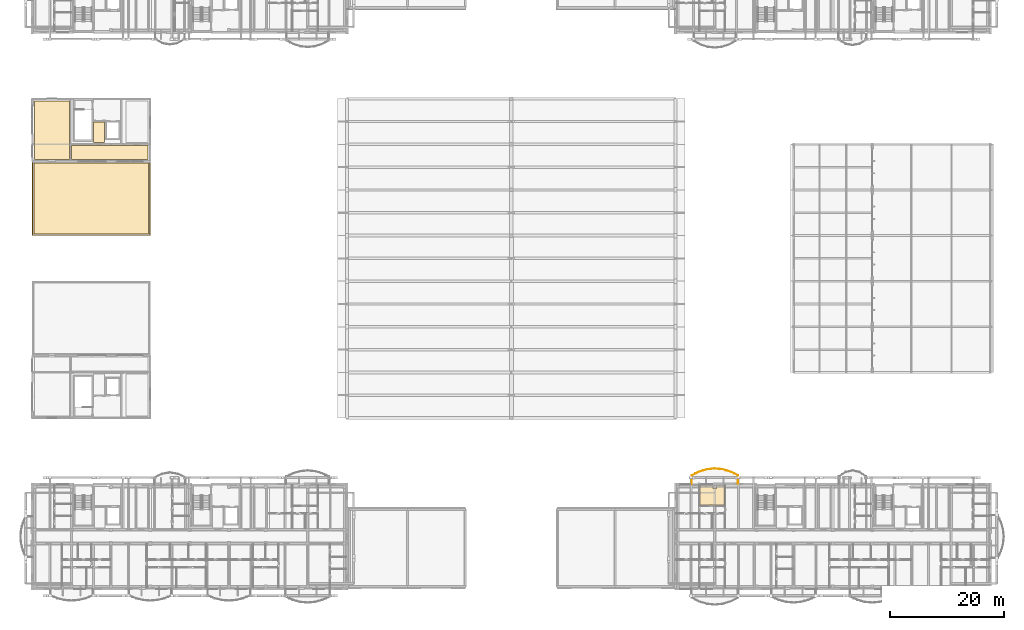
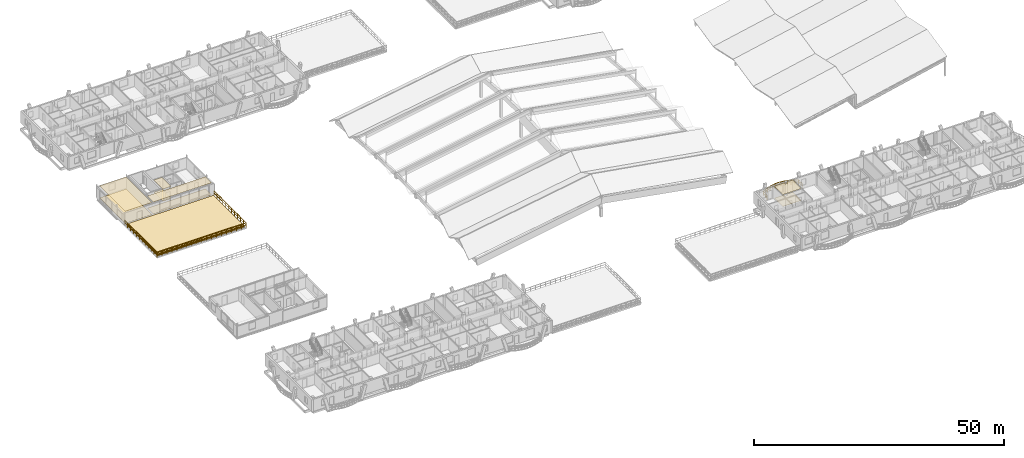
# One storey, part 93 of 109: 9 coverings, 2 railings.
"""IFC4 building model written with IfcOpenShell, lengths in metres."""

from ifc_helpers import new_model, si_unit, direction, frame, origin, origin_2d, place, context, subcontext, project, spatial, polyline, rectangle, outline, extrude, material, layer, layer_set, type_object, element, save


model = new_model("IFC4")

# Units and contexts
model_context = context("Model", 3, precision=1e-05, world=origin(), true_north=direction((0.0, 1.0)))
body_context = subcontext(model_context, "Body", "Model", "MODEL_VIEW")
ifc_project = project(units=[si_unit("LENGTHUNIT", "METRE"), si_unit("AREAUNIT", "SQUARE_METRE"), si_unit("VOLUMEUNIT", "CUBIC_METRE"), si_unit("PLANEANGLEUNIT", "RADIAN"), si_unit("MASSUNIT", "GRAM", prefix="KILO")], contexts=[model_context])

# Site, building, storey
site_placement = place(None, origin())
site = spatial("IfcSite", under=ifc_project, at=site_placement, CompositionType="ELEMENT")
building_placement = place(site_placement, origin())
building = spatial("IfcBuilding", under=site, at=building_placement, Name="Zavelmont Quarter", CompositionType="ELEMENT")
storey_placement = place(building_placement, frame((0.0, 0.0, 8.0)))
storey = spatial("IfcBuildingStorey", under=building, at=storey_placement, Name="L02", CompositionType="ELEMENT", Elevation=8.0)

# Coverings
ifc_material_1 = material(Name="Perforated acoustic gypsum board")
ifc_layer_1 = layer(ifc_material_1, 0.02490234375)
ifc_layer_set_1 = layer_set([ifc_layer_1], Name="Perforated acoustic gypsum board")
covering_type_1 = type_object("IfcCoveringType", Name="CV-CL01", PredefinedType="CEILING", material=ifc_layer_set_1)
covering_1_placement = place(storey_placement, frame((0.0, 0.0, 2.965087890625)))
element("IfcCovering", 1, at=covering_1_placement, inside=storey, type_object=covering_type_1, Name="L02 Lobby Vestibule acoustic ceiling", PredefinedType="CEILING", context=body_context, shape_type="SweptSolid", body=[
    extrude(outline(polyline([(10.780029296875, 81.919921875), (12.669921875, 81.919921875), (12.669921875, 78.280029296875), (10.780029296875, 78.280029296875), (10.780029296875, 81.919921875)])), origin(), (0.0, 0.0, 1.0), 0.02490234375),
])
covering_2_placement = place(storey_placement, frame((0.0, 0.0, 2.965087890625)))
element("IfcCovering", 2, at=covering_2_placement, inside=storey, type_object=covering_type_1, Name="L02 North Roof Garden Corridor acoustic ceiling", PredefinedType="CEILING", context=body_context, shape_type="SweptSolid", body=[
    extrude(outline(polyline([(6.8798828125, 77.77001953125), (20.320068359375, 77.77001953125), (20.320068359375, 75.330078125), (6.8798828125, 75.330078125), (6.8798828125, 77.77001953125)])), origin(), (0.0, 0.0, 1.0), 0.02490234375),
])
covering_3_placement = place(storey_placement, frame((0.0, 0.0, 2.965087890625)))
element("IfcCovering", 3, at=covering_3_placement, inside=storey, type_object=covering_type_1, Name="L02 Residents Greenhouse Lounge acoustic ceiling", PredefinedType="CEILING", context=body_context, shape_type="SweptSolid", body=[
    extrude(outline(polyline([(0.3798828125, 85.6201171875), (6.52001953125, 85.6201171875), (6.52001953125, 75.330078125), (0.3798828125, 75.330078125), (0.3798828125, 85.6201171875)])), origin(), (0.0, 0.0, 1.0), 0.02490234375),
])
covering_4_placement = place(storey_placement, frame((0.0, 0.0, 2.9150390625)))
element("IfcCovering", 4, at=covering_4_placement, inside=storey, type_object=covering_type_1, Name="L02 Master Bedroom acoustic ceiling", PredefinedType="CEILING", context=body_context, shape_type="SweptSolid", body=[
    extrude(outline(polyline([(117.1298828125, 18.1201171875), (119.409912109375, 18.1201171875), (119.409912109375, 17.669921875), (119.989990234375, 17.669921875), (119.989990234375, 18.1201171875), (121.3701171875, 18.1201171875), (121.3701171875, 14.72998046875), (117.1298828125, 14.72998046875), (117.1298828125, 18.1201171875)])), origin(), (0.0, 0.0, 1.0), 0.02490234375),
])
ifc_material_2 = material(Name="Engineered European oak parquet")
ifc_layer_2 = layer(ifc_material_2, 0.02197265625)
ifc_layer_set_2 = layer_set([ifc_layer_2], Name="Engineered European oak parquet")
covering_type_2 = type_object("IfcCoveringType", Name="CV-FL01", PredefinedType="FLOORING", material=ifc_layer_set_2)
covering_5_placement = place(storey_placement, origin())
element("IfcCovering", 5, at=covering_5_placement, inside=storey, type_object=covering_type_2, Name="L02 Lobby Vestibule floor finish", PredefinedType="FLOORING", context=body_context, shape_type="SweptSolid", body=[
    extrude(outline(polyline([(10.780029296875, 81.919921875), (12.669921875, 81.919921875), (12.669921875, 78.280029296875), (10.780029296875, 78.280029296875), (10.780029296875, 81.919921875)])), origin(), (0.0, 0.0, 1.0), 0.02197265625),
])
covering_6_placement = place(storey_placement, origin())
element("IfcCovering", 6, at=covering_6_placement, inside=storey, type_object=covering_type_2, Name="L02 North Roof Garden Corridor floor finish", PredefinedType="FLOORING", context=body_context, shape_type="SweptSolid", body=[
    extrude(outline(polyline([(6.8798828125, 77.77001953125), (20.320068359375, 77.77001953125), (20.320068359375, 75.330078125), (6.8798828125, 75.330078125), (6.8798828125, 77.77001953125)])), origin(), (0.0, 0.0, 1.0), 0.02197265625),
])
covering_7_placement = place(storey_placement, origin())
element("IfcCovering", 7, at=covering_7_placement, inside=storey, type_object=covering_type_2, Name="L02 Residents Greenhouse Lounge floor finish", PredefinedType="FLOORING", context=body_context, shape_type="SweptSolid", body=[
    extrude(outline(polyline([(0.3798828125, 85.6201171875), (6.52001953125, 85.6201171875), (6.52001953125, 75.330078125), (0.3798828125, 75.330078125), (0.3798828125, 85.6201171875)])), origin(), (0.0, 0.0, 1.0), 0.02197265625),
])
covering_8_placement = place(storey_placement, origin())
element("IfcCovering", 8, at=covering_8_placement, inside=storey, type_object=covering_type_2, Name="L02 Master Bedroom floor finish", PredefinedType="FLOORING", context=body_context, shape_type="SweptSolid", body=[
    extrude(outline(polyline([(117.1298828125, 18.1201171875), (119.409912109375, 18.1201171875), (119.409912109375, 17.669921875), (119.989990234375, 17.669921875), (119.989990234375, 18.1201171875), (121.3701171875, 18.1201171875), (121.3701171875, 14.72998046875), (117.1298828125, 14.72998046875), (117.1298828125, 18.1201171875)])), origin(), (0.0, 0.0, 1.0), 0.02197265625),
])
ifc_material_3 = material(Name="EPDM waterproofing membrane and mineral insulation")
ifc_layer_3 = layer(ifc_material_3, 0.280029296875)
ifc_layer_set_3 = layer_set([ifc_layer_3], Name="EPDM waterproofing membrane and mineral insulation")
covering_type_3 = type_object("IfcCoveringType", Name="CV-RF02", PredefinedType="ROOFING", material=ifc_layer_set_3)
covering_9_placement = place(storey_placement, origin())
element("IfcCovering", 9, at=covering_9_placement, inside=storey, type_object=covering_type_3, Name="L02 roof build-up CV-RF02", PredefinedType="ROOFING", context=body_context, shape_type="SweptSolid", body=[
    extrude(outline(polyline([(0.300048828125, 62.300048828125), (20.39990234375, 62.300048828125), (20.39990234375, 74.699951171875), (0.300048828125, 74.699951171875), (0.300048828125, 62.300048828125)])), origin(), (0.0, 0.0, 1.0), 0.280029296875),
])

# Railings
ifc_material_4 = material(Name="Powder-coated steel and tempered double safety glass", Category="steel")
railing_type_1 = type_object("IfcRailingType", Name="RL-BAL1", PredefinedType="BALUSTRADE", material=ifc_material_4)
railing_1_placement = place(storey_placement, frame((123.761962890625, 18.419921875, 0.0)))
element("IfcRailing", 10, at=railing_1_placement, inside=storey, type_object=railing_type_1, Name="L02 Block D curved balcony guard RL-BAL1", PredefinedType="BALUSTRADE", context=body_context, shape_type="SweptSolid", body=[
    extrude(rectangle(XDim=0.048095703125, YDim=0.048095703125, at=origin_2d()), frame((0.0, 0.0, 1.076171875), z_axis=(0.0, 1.0, 0.0), x_axis=(-1.0, 0.0, 0.0)), (0.0, 0.0, 1.0), 1.51220703125),
    extrude(rectangle(XDim=0.048095703125, YDim=0.048095703125, at=origin_2d()), frame((0.0, 0.0, 0.550048828125), z_axis=(0.0, 1.0, 0.0), x_axis=(-1.0, 0.0, 0.0)), (0.0, 0.0, 1.0), 1.51220703125),
    extrude(rectangle(XDim=0.048095703125, YDim=0.048095703125, at=origin_2d()), frame((0.0, 1.51220703125, 1.076171875), z_axis=(-0.896550884345, 0.442940754256, 0.0), x_axis=(-0.442940754256, -0.896550884345, 0.0)), (0.0, 0.0, 1.0), 1.51025390625),
    extrude(rectangle(XDim=0.048095703125, YDim=0.048095703125, at=origin_2d()), frame((0.0, 1.51220703125, 0.550048828125), z_axis=(-0.896550884345, 0.442940754256, 0.0), x_axis=(-0.442940754256, -0.896550884345, 0.0)), (0.0, 0.0, 1.0), 1.51025390625),
    extrude(rectangle(XDim=0.048095703125, YDim=0.048095703125, at=origin_2d()), frame((-1.35400390625, 2.18115234375, 1.076171875), z_axis=(-0.958810320474, 0.284047125232, 0.0), x_axis=(-0.284047125232, -0.958810320474, 0.0)), (0.0, 0.0, 1.0), 1.412109375),
    extrude(rectangle(XDim=0.048095703125, YDim=0.048095703125, at=origin_2d()), frame((-1.35400390625, 2.18115234375, 0.550048828125), z_axis=(-0.958810320474, 0.284047125232, 0.0), x_axis=(-0.284047125232, -0.958810320474, 0.0)), (0.0, 0.0, 1.0), 1.412109375),
    extrude(rectangle(XDim=0.048095703125, YDim=0.048095703125, at=origin_2d()), frame((-2.7080078125, 2.582275390625, 1.076171875), z_axis=(-0.995153754748, 0.098331095853, 0.0), x_axis=(-0.098331095853, -0.995153754748, 0.0)), (0.0, 0.0, 1.0), 1.360595703125),
    extrude(rectangle(XDim=0.048095703125, YDim=0.048095703125, at=origin_2d()), frame((-2.7080078125, 2.582275390625, 0.550048828125), z_axis=(-0.995153754748, 0.098331095853, 0.0), x_axis=(-0.098331095853, -0.995153754748, 0.0)), (0.0, 0.0, 1.0), 1.360595703125),
    extrude(rectangle(XDim=0.048095703125, YDim=0.048095703125, at=origin_2d()), frame((-4.06201171875, 2.716064453125, 1.076171875), z_axis=(-0.995153754748, -0.098331095853, 0.0), x_axis=(0.098331095853, -0.995153754748, 0.0)), (0.0, 0.0, 1.0), 1.360595703125),
    extrude(rectangle(XDim=0.048095703125, YDim=0.048095703125, at=origin_2d()), frame((-4.06201171875, 2.716064453125, 0.550048828125), z_axis=(-0.995153754748, -0.098331095853, 0.0), x_axis=(0.098331095853, -0.995153754748, 0.0)), (0.0, 0.0, 1.0), 1.360595703125),
    extrude(rectangle(XDim=0.048095703125, YDim=0.048095703125, at=origin_2d()), frame((-5.416015625, 2.582275390625, 1.076171875), z_axis=(-0.958810320474, -0.284047125232, 0.0), x_axis=(0.284047125232, -0.958810320474, 0.0)), (0.0, 0.0, 1.0), 1.412109375),
    extrude(rectangle(XDim=0.048095703125, YDim=0.048095703125, at=origin_2d()), frame((-5.416015625, 2.582275390625, 0.550048828125), z_axis=(-0.958810320474, -0.284047125232, 0.0), x_axis=(0.284047125232, -0.958810320474, 0.0)), (0.0, 0.0, 1.0), 1.412109375),
    extrude(rectangle(XDim=0.048095703125, YDim=0.048095703125, at=origin_2d()), frame((-6.77001953125, 2.18115234375, 1.076171875), z_axis=(-0.896550884345, -0.442940754256, 0.0), x_axis=(0.442940754256, -0.896550884345, 0.0)), (0.0, 0.0, 1.0), 1.51025390625),
    extrude(rectangle(XDim=0.048095703125, YDim=0.048095703125, at=origin_2d()), frame((-6.77001953125, 2.18115234375, 0.550048828125), z_axis=(-0.896550884345, -0.442940754256, 0.0), x_axis=(0.442940754256, -0.896550884345, 0.0)), (0.0, 0.0, 1.0), 1.51025390625),
    extrude(rectangle(XDim=0.048095703125, YDim=0.048095703125, at=origin_2d()), frame((-8.1240234375, 1.51220703125, 1.076171875), z_axis=(0.0, -1.0, 0.0), x_axis=(1.0, 0.0, 0.0)), (0.0, 0.0, 1.0), 1.51220703125),
    extrude(rectangle(XDim=0.048095703125, YDim=0.048095703125, at=origin_2d()), frame((-8.1240234375, 1.51220703125, 0.550048828125), z_axis=(0.0, -1.0, 0.0), x_axis=(1.0, 0.0, 0.0)), (0.0, 0.0, 1.0), 1.51220703125),
    extrude(rectangle(XDim=0.0419921875, YDim=0.0419921875, at=origin_2d()), origin(), (0.0, 0.0, 1.0), 1.052001953125),
    extrude(rectangle(XDim=0.0419921875, YDim=0.0419921875, at=origin_2d()), frame((0.0, 0.756103515625, 0.0)), (0.0, 0.0, 1.0), 1.052001953125),
    extrude(rectangle(XDim=0.0419921875, YDim=0.0419921875, at=origin_2d()), frame((0.0, 1.51220703125, 0.0)), (0.0, 0.0, 1.0), 1.052001953125),
    extrude(rectangle(XDim=0.0419921875, YDim=0.0419921875, at=origin_2d()), frame((-0.677001953125, 1.8466796875, 0.0)), (0.0, 0.0, 1.0), 1.052001953125),
    extrude(rectangle(XDim=0.0419921875, YDim=0.0419921875, at=origin_2d()), frame((-1.35400390625, 2.18115234375, 0.0)), (0.0, 0.0, 1.0), 1.052001953125),
    extrude(rectangle(XDim=0.0419921875, YDim=0.0419921875, at=origin_2d()), frame((-2.031005859375, 2.3818359375, 0.0)), (0.0, 0.0, 1.0), 1.052001953125),
    extrude(rectangle(XDim=0.0419921875, YDim=0.0419921875, at=origin_2d()), frame((-2.7080078125, 2.582275390625, 0.0)), (0.0, 0.0, 1.0), 1.052001953125),
    extrude(rectangle(XDim=0.0419921875, YDim=0.0419921875, at=origin_2d()), frame((-3.385009765625, 2.649169921875, 0.0)), (0.0, 0.0, 1.0), 1.052001953125),
    extrude(rectangle(XDim=0.0419921875, YDim=0.0419921875, at=origin_2d()), frame((-4.06201171875, 2.716064453125, 0.0)), (0.0, 0.0, 1.0), 1.052001953125),
    extrude(rectangle(XDim=0.0419921875, YDim=0.0419921875, at=origin_2d()), frame((-4.739013671875, 2.649169921875, 0.0)), (0.0, 0.0, 1.0), 1.052001953125),
    extrude(rectangle(XDim=0.0419921875, YDim=0.0419921875, at=origin_2d()), frame((-5.416015625, 2.582275390625, 0.0)), (0.0, 0.0, 1.0), 1.052001953125),
    extrude(rectangle(XDim=0.0419921875, YDim=0.0419921875, at=origin_2d()), frame((-6.093017578125, 2.3818359375, 0.0)), (0.0, 0.0, 1.0), 1.052001953125),
    extrude(rectangle(XDim=0.0419921875, YDim=0.0419921875, at=origin_2d()), frame((-6.77001953125, 2.18115234375, 0.0)), (0.0, 0.0, 1.0), 1.052001953125),
    extrude(rectangle(XDim=0.0419921875, YDim=0.0419921875, at=origin_2d()), frame((-7.447021484375, 1.8466796875, 0.0)), (0.0, 0.0, 1.0), 1.052001953125),
    extrude(rectangle(XDim=0.0419921875, YDim=0.0419921875, at=origin_2d()), frame((-8.1240234375, 1.51220703125, 0.0)), (0.0, 0.0, 1.0), 1.052001953125),
    extrude(rectangle(XDim=0.0419921875, YDim=0.0419921875, at=origin_2d()), frame((-8.1240234375, 0.756103515625, 0.0)), (0.0, 0.0, 1.0), 1.052001953125),
    extrude(rectangle(XDim=0.0419921875, YDim=0.0419921875, at=origin_2d()), frame((-8.1240234375, 0.0, 0.0)), (0.0, 0.0, 1.0), 1.052001953125),
])
railing_type_2 = type_object("IfcRailingType", Name="RL-GDN1", PredefinedType="BALUSTRADE", material=ifc_material_4)
railing_2_placement = place(storey_placement, frame((0.050048828125, 75.0, 0.0)))
element("IfcRailing", 11, at=railing_2_placement, inside=storey, type_object=railing_type_2, Name="L02 North Planted Roof Garden guard RL-GDN1", PredefinedType="BALUSTRADE", context=body_context, shape_type="SweptSolid", body=[
    extrude(rectangle(XDim=0.048095703125, YDim=0.048095703125, at=origin_2d()), frame((0.0, 0.0, 1.1259765625), z_axis=(0.0, -1.0, 0.0), x_axis=(1.0, 0.0, 0.0)), (0.0, 0.0, 1.0), 12.949951171875),
    extrude(rectangle(XDim=0.048095703125, YDim=0.048095703125, at=origin_2d()), frame((0.0, 0.0, 0.574951171875), z_axis=(0.0, -1.0, 0.0), x_axis=(1.0, 0.0, 0.0)), (0.0, 0.0, 1.0), 12.949951171875),
    extrude(rectangle(XDim=0.048095703125, YDim=0.048095703125, at=origin_2d()), frame((0.0, -12.949951171875, 1.1259765625), z_axis=(1.0, 0.0, 0.0), x_axis=(0.0, 1.0, 0.0)), (0.0, 0.0, 1.0), 20.599853515625),
    extrude(rectangle(XDim=0.048095703125, YDim=0.048095703125, at=origin_2d()), frame((0.0, -12.949951171875, 0.574951171875), z_axis=(1.0, 0.0, 0.0), x_axis=(0.0, 1.0, 0.0)), (0.0, 0.0, 1.0), 20.599853515625),
    extrude(rectangle(XDim=0.048095703125, YDim=0.048095703125, at=origin_2d()), frame((20.599853515625, -12.949951171875, 1.1259765625), z_axis=(0.0, 1.0, 0.0), x_axis=(-1.0, 0.0, 0.0)), (0.0, 0.0, 1.0), 12.949951171875),
    extrude(rectangle(XDim=0.048095703125, YDim=0.048095703125, at=origin_2d()), frame((20.599853515625, -12.949951171875, 0.574951171875), z_axis=(0.0, 1.0, 0.0), x_axis=(-1.0, 0.0, 0.0)), (0.0, 0.0, 1.0), 12.949951171875),
    extrude(rectangle(XDim=0.0419921875, YDim=0.0419921875, at=origin_2d()), origin(), (0.0, 0.0, 1.0), 1.101806640625),
    extrude(rectangle(XDim=0.0419921875, YDim=0.0419921875, at=origin_2d()), frame((0.0, -1.17724609375, 0.0)), (0.0, 0.0, 1.0), 1.101806640625),
    extrude(rectangle(XDim=0.0419921875, YDim=0.0419921875, at=origin_2d()), frame((0.0, -2.3544921875, 0.0)), (0.0, 0.0, 1.0), 1.101806640625),
    extrude(rectangle(XDim=0.0419921875, YDim=0.0419921875, at=origin_2d()), frame((0.0, -3.53173828125, 0.0)), (0.0, 0.0, 1.0), 1.101806640625),
    extrude(rectangle(XDim=0.0419921875, YDim=0.0419921875, at=origin_2d()), frame((0.0, -4.708984375, 0.0)), (0.0, 0.0, 1.0), 1.101806640625),
    extrude(rectangle(XDim=0.0419921875, YDim=0.0419921875, at=origin_2d()), frame((0.0, -5.88623046875, 0.0)), (0.0, 0.0, 1.0), 1.101806640625),
    extrude(rectangle(XDim=0.0419921875, YDim=0.0419921875, at=origin_2d()), frame((0.0, -7.063720703125, 0.0)), (0.0, 0.0, 1.0), 1.101806640625),
    extrude(rectangle(XDim=0.0419921875, YDim=0.0419921875, at=origin_2d()), frame((0.0, -8.240966796875, 0.0)), (0.0, 0.0, 1.0), 1.101806640625),
    extrude(rectangle(XDim=0.0419921875, YDim=0.0419921875, at=origin_2d()), frame((0.0, -9.418212890625, 0.0)), (0.0, 0.0, 1.0), 1.101806640625),
    extrude(rectangle(XDim=0.0419921875, YDim=0.0419921875, at=origin_2d()), frame((0.0, -10.595458984375, 0.0)), (0.0, 0.0, 1.0), 1.101806640625),
    extrude(rectangle(XDim=0.0419921875, YDim=0.0419921875, at=origin_2d()), frame((0.0, -11.772705078125, 0.0)), (0.0, 0.0, 1.0), 1.101806640625),
    extrude(rectangle(XDim=0.0419921875, YDim=0.0419921875, at=origin_2d()), frame((0.0, -12.949951171875, 0.0)), (0.0, 0.0, 1.0), 1.101806640625),
    extrude(rectangle(XDim=0.0419921875, YDim=0.0419921875, at=origin_2d()), frame((1.14453125, -12.949951171875, 0.0)), (0.0, 0.0, 1.0), 1.101806640625),
    extrude(rectangle(XDim=0.0419921875, YDim=0.0419921875, at=origin_2d()), frame((2.288818359375, -12.949951171875, 0.0)), (0.0, 0.0, 1.0), 1.101806640625),
    extrude(rectangle(XDim=0.0419921875, YDim=0.0419921875, at=origin_2d()), frame((3.433349609375, -12.949951171875, 0.0)), (0.0, 0.0, 1.0), 1.101806640625),
    extrude(rectangle(XDim=0.0419921875, YDim=0.0419921875, at=origin_2d()), frame((4.57763671875, -12.949951171875, 0.0)), (0.0, 0.0, 1.0), 1.101806640625),
    extrude(rectangle(XDim=0.0419921875, YDim=0.0419921875, at=origin_2d()), frame((5.72216796875, -12.949951171875, 0.0)), (0.0, 0.0, 1.0), 1.101806640625),
    extrude(rectangle(XDim=0.0419921875, YDim=0.0419921875, at=origin_2d()), frame((6.86669921875, -12.949951171875, 0.0)), (0.0, 0.0, 1.0), 1.101806640625),
    extrude(rectangle(XDim=0.0419921875, YDim=0.0419921875, at=origin_2d()), frame((8.010986328125, -12.949951171875, 0.0)), (0.0, 0.0, 1.0), 1.101806640625),
    extrude(rectangle(XDim=0.0419921875, YDim=0.0419921875, at=origin_2d()), frame((9.155517578125, -12.949951171875, 0.0)), (0.0, 0.0, 1.0), 1.101806640625),
    extrude(rectangle(XDim=0.0419921875, YDim=0.0419921875, at=origin_2d()), frame((10.2998046875, -12.949951171875, 0.0)), (0.0, 0.0, 1.0), 1.101806640625),
    extrude(rectangle(XDim=0.0419921875, YDim=0.0419921875, at=origin_2d()), frame((11.4443359375, -12.949951171875, 0.0)), (0.0, 0.0, 1.0), 1.101806640625),
    extrude(rectangle(XDim=0.0419921875, YDim=0.0419921875, at=origin_2d()), frame((12.5888671875, -12.949951171875, 0.0)), (0.0, 0.0, 1.0), 1.101806640625),
    extrude(rectangle(XDim=0.0419921875, YDim=0.0419921875, at=origin_2d()), frame((13.733154296875, -12.949951171875, 0.0)), (0.0, 0.0, 1.0), 1.101806640625),
    extrude(rectangle(XDim=0.0419921875, YDim=0.0419921875, at=origin_2d()), frame((14.877685546875, -12.949951171875, 0.0)), (0.0, 0.0, 1.0), 1.101806640625),
    extrude(rectangle(XDim=0.0419921875, YDim=0.0419921875, at=origin_2d()), frame((16.022216796875, -12.949951171875, 0.0)), (0.0, 0.0, 1.0), 1.101806640625),
    extrude(rectangle(XDim=0.0419921875, YDim=0.0419921875, at=origin_2d()), frame((17.16650390625, -12.949951171875, 0.0)), (0.0, 0.0, 1.0), 1.101806640625),
    extrude(rectangle(XDim=0.0419921875, YDim=0.0419921875, at=origin_2d()), frame((18.31103515625, -12.949951171875, 0.0)), (0.0, 0.0, 1.0), 1.101806640625),
    extrude(rectangle(XDim=0.0419921875, YDim=0.0419921875, at=origin_2d()), frame((19.455322265625, -12.949951171875, 0.0)), (0.0, 0.0, 1.0), 1.101806640625),
    extrude(rectangle(XDim=0.0419921875, YDim=0.0419921875, at=origin_2d()), frame((20.599853515625, -12.949951171875, 0.0)), (0.0, 0.0, 1.0), 1.101806640625),
    extrude(rectangle(XDim=0.0419921875, YDim=0.0419921875, at=origin_2d()), frame((20.599853515625, -11.772705078125, 0.0)), (0.0, 0.0, 1.0), 1.101806640625),
    extrude(rectangle(XDim=0.0419921875, YDim=0.0419921875, at=origin_2d()), frame((20.599853515625, -10.595458984375, 0.0)), (0.0, 0.0, 1.0), 1.101806640625),
    extrude(rectangle(XDim=0.0419921875, YDim=0.0419921875, at=origin_2d()), frame((20.599853515625, -9.418212890625, 0.0)), (0.0, 0.0, 1.0), 1.101806640625),
    extrude(rectangle(XDim=0.0419921875, YDim=0.0419921875, at=origin_2d()), frame((20.599853515625, -8.240966796875, 0.0)), (0.0, 0.0, 1.0), 1.101806640625),
    extrude(rectangle(XDim=0.0419921875, YDim=0.0419921875, at=origin_2d()), frame((20.599853515625, -7.063720703125, 0.0)), (0.0, 0.0, 1.0), 1.101806640625),
    extrude(rectangle(XDim=0.0419921875, YDim=0.0419921875, at=origin_2d()), frame((20.599853515625, -5.88623046875, 0.0)), (0.0, 0.0, 1.0), 1.101806640625),
    extrude(rectangle(XDim=0.0419921875, YDim=0.0419921875, at=origin_2d()), frame((20.599853515625, -4.708984375, 0.0)), (0.0, 0.0, 1.0), 1.101806640625),
    extrude(rectangle(XDim=0.0419921875, YDim=0.0419921875, at=origin_2d()), frame((20.599853515625, -3.53173828125, 0.0)), (0.0, 0.0, 1.0), 1.101806640625),
    extrude(rectangle(XDim=0.0419921875, YDim=0.0419921875, at=origin_2d()), frame((20.599853515625, -2.3544921875, 0.0)), (0.0, 0.0, 1.0), 1.101806640625),
    extrude(rectangle(XDim=0.0419921875, YDim=0.0419921875, at=origin_2d()), frame((20.599853515625, -1.17724609375, 0.0)), (0.0, 0.0, 1.0), 1.101806640625),
    extrude(rectangle(XDim=0.0419921875, YDim=0.0419921875, at=origin_2d()), frame((20.599853515625, 0.0, 0.0)), (0.0, 0.0, 1.0), 1.101806640625),
])

save(model, "model.ifc")
